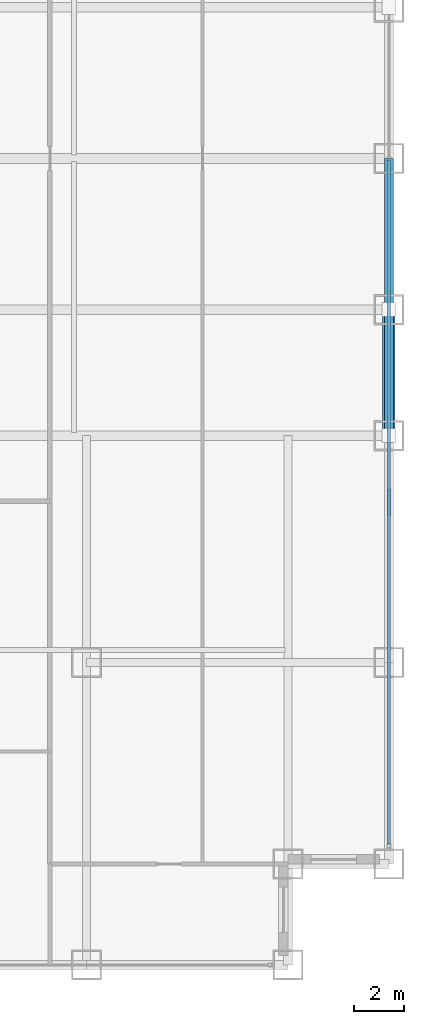
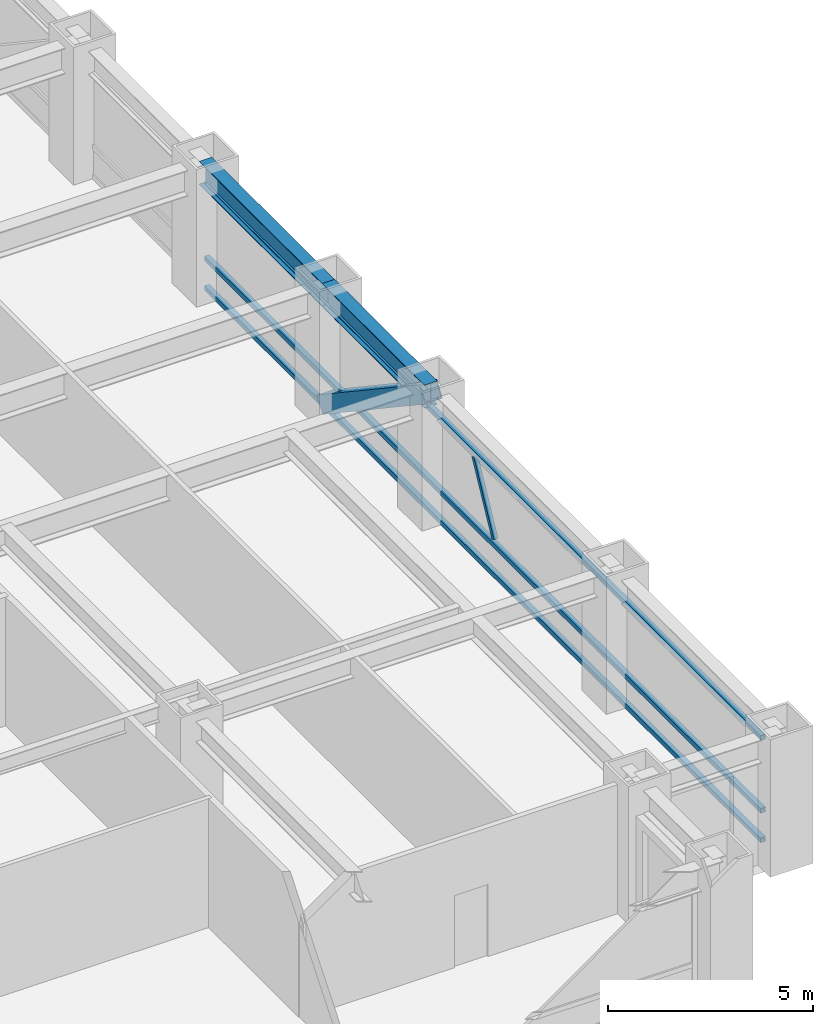
# One storey, part 13 of 27: 5 members, 2 beams, 1 element without a shape of its own.
"""IFC4 building model written with IfcOpenShell, lengths in metres."""

from ifc_helpers import new_model, si_unit, direction, frame, origin, origin_2d, place, context, subcontext, project, spatial, hollow_rectangle, i_section, extrude, source, transform, mapped, material, material_profile, profile_set, type_object, element, aggregate, save


model = new_model("IFC4")

# Units and contexts
model_context = context("Model", 3, precision=1e-05, world=origin(), true_north=direction((0.0, 1.0)))
body_context = subcontext(model_context, "Body", "Model", "MODEL_VIEW")
ifc_project = project(units=[si_unit("LENGTHUNIT", "METRE"), si_unit("AREAUNIT", "SQUARE_METRE"), si_unit("VOLUMEUNIT", "CUBIC_METRE"), si_unit("PLANEANGLEUNIT", "RADIAN"), si_unit("MASSUNIT", "GRAM", prefix="KILO")], contexts=[model_context])

# Site, building, storey
site_placement = place(None, origin())
site = spatial("IfcSite", under=ifc_project, at=site_placement, CompositionType="ELEMENT")
building_placement = place(site_placement, origin())
building = spatial("IfcBuilding", under=site, at=building_placement, Name="Khorayat Bourse Tower", CompositionType="ELEMENT")
storey_placement = place(building_placement, frame((0.0, 0.0, 140.60009765625)))
storey = spatial("IfcBuildingStorey", under=building, at=storey_placement, Name="L32", CompositionType="ELEMENT", Elevation=140.60009765625)

# Beams
ifc_material_1 = material(Name="Steel ASTM A992 Grade 50", Category="steel")
ifc_material_profile_1 = material_profile(ifc_material_1, i_section(OverallWidth=0.35498046875, OverallDepth=0.695068359375, WebThickness=0.015380859375, FlangeThickness=0.02490234375, FilletRadius=0.01806640625, at=origin_2d()), Name="W690X217")
ifc_profile_set_1 = profile_set([ifc_material_profile_1], Name="Steel ASTM A992 Grade 50")
beam_type = type_object("IfcBeamType", Name="BM-SPAN-690", PredefinedType="SPANDREL", material=ifc_profile_set_1)
shared_shape_1 = source(origin(), body_context, "Body", "SweptSolid", [
    extrude(i_section(OverallWidth=0.35498046875, OverallDepth=0.695068359375, WebThickness=0.015380859375, FlangeThickness=0.02490234375, FilletRadius=0.01806640625, at=origin_2d()), origin(), (0.0, 0.0, 1.0), 5.0),
])
beam_1_placement = place(storey_placement, frame((32.0, -11.0, 3.492431640625), z_axis=(0.0, 1.0, 0.0), x_axis=(-1.0, 0.0, 0.0)))
element("IfcBeam", 1, at=beam_1_placement, inside=storey, type_object=beam_type, Name="L32 BM-SPAN-690 BM-L32-SPN-036", PredefinedType="SPANDREL", context=body_context, shape_type="MappedRepresentation", body=[
    mapped(shared_shape_1, transform((0.0, 0.0, 0.0), scale=1.0)),
])
shared_shape_2 = source(origin(), body_context, "Body", "SweptSolid", [
    extrude(i_section(OverallWidth=0.35498046875, OverallDepth=0.695068359375, WebThickness=0.015380859375, FlangeThickness=0.02490234375, FilletRadius=0.01806640625, at=origin_2d()), origin(), (0.0, 0.0, 1.0), 6.0),
])
beam_2_placement = place(storey_placement, frame((32.0, -6.0, 3.492431640625), z_axis=(0.0, 1.0, 0.0), x_axis=(-1.0, 0.0, 0.0)))
element("IfcBeam", 2, at=beam_2_placement, inside=storey, type_object=beam_type, Name="L32 BM-SPAN-690 BM-L32-SPN-037", PredefinedType="SPANDREL", context=body_context, shape_type="MappedRepresentation", body=[
    mapped(shared_shape_2, transform((0.0, 0.0, 0.0), scale=1.0)),
])

# Member
ifc_material_2 = material(Name="Steel EN 10025-4 S460M", Category="steel")
ifc_material_profile_2 = material_profile(ifc_material_2, hollow_rectangle(XDim=0.5, YDim=0.5, WallThickness=0.028076171875, at=origin_2d()), Name="HSS 500x500x28")
ifc_profile_set_2 = profile_set([ifc_material_profile_2], Name="Steel EN 10025-4 S460M")
member_type_1 = type_object("IfcMemberType", Name="MBR-TUBE-500", PredefinedType="BRACE", material=ifc_profile_set_2)
shared_shape_3 = source(origin(), body_context, "Body", "SweptSolid", [
    extrude(hollow_rectangle(XDim=0.5, YDim=0.5, WallThickness=0.028076171875, at=origin_2d()), origin(), (0.0, 0.0, 1.0), 6.012939453125),
])
member_1_placement = place(storey_placement, frame((32.0, -11.0, 3.58984375), z_axis=(0.0, 0.831550226979, -0.555449565677), x_axis=(-1.0, 0.0, 0.0)))
element("IfcMember", 3, at=member_1_placement, inside=storey, type_object=member_type_1, Name="L32 Perimeter Tube Brace 07", PredefinedType="BRACE", context=body_context, shape_type="MappedRepresentation", body=[
    mapped(shared_shape_3, transform((0.0, 0.0, 0.0), scale=1.0)),
])

# Curtain wall, members
ifc_material_3 = material(Name="Aluminium EN AW-6063 T6", Category="aluminium")
curtain_wall_type = type_object("IfcCurtainWallType", Name="CW-SYS-02", PredefinedType="NOTDEFINED", material=ifc_material_3)
curtain_wall_placement = place(storey_placement, origin())
curtain_wall = element("IfcCurtainWall", 4, at=curtain_wall_placement, inside=storey, type_object=curtain_wall_type, Name="L32 Curtain Wall CW-L32-E1", PredefinedType="NOTDEFINED")
ifc_material_profile_3 = material_profile(ifc_material_3, hollow_rectangle(XDim=0.139892578125, YDim=0.139892578125, WallThickness=0.006103515625, at=origin_2d()), Name="ALU 140x140x6")
ifc_profile_set_3 = profile_set([ifc_material_profile_3], Name="Aluminium EN AW-6063 T6")
member_type_2 = type_object("IfcMemberType", Name="CWT-HORZ-140", PredefinedType="USERDEFINED", material=ifc_profile_set_3)
shared_shape_4 = source(origin(), body_context, "Body", "SweptSolid", [
    extrude(hollow_rectangle(XDim=0.139892578125, YDim=0.139892578125, WallThickness=0.006103515625, at=origin_2d()), origin(), (0.0, 0.0, 1.0), 27.139892578125),
])
member_2_placement = place(storey_placement, frame((32.0, -27.2099609375, 0.06982421875), z_axis=(0.0, 1.0, 0.0), x_axis=(-1.0, 0.0, 0.0)))
member_2 = element("IfcMember", 5, at=member_2_placement, type_object=member_type_2, Name="CW-L32-E1 Horizontal Transom 1-1", ObjectType="TRANSOM", PredefinedType="USERDEFINED", context=body_context, shape_type="MappedRepresentation", body=[
    mapped(shared_shape_4, transform((0.0, 0.0, 0.0), scale=1.0)),
])
member_3_placement = place(storey_placement, frame((32.0, -27.2099609375, 0.949951171875), z_axis=(0.0, 1.0, 0.0), x_axis=(-1.0, 0.0, 0.0)))
member_3 = element("IfcMember", 6, at=member_3_placement, type_object=member_type_2, Name="CW-L32-E1 Horizontal Transom 1-2", ObjectType="TRANSOM", PredefinedType="USERDEFINED", context=body_context, shape_type="MappedRepresentation", body=[
    mapped(shared_shape_4, transform((0.0, 0.0, 0.0), scale=1.0)),
])
member_4_placement = place(storey_placement, frame((32.0, -27.2099609375, 3.119873046875), z_axis=(0.0, 1.0, 0.0), x_axis=(-1.0, 0.0, 0.0)))
member_4 = element("IfcMember", 7, at=member_4_placement, type_object=member_type_2, Name="CW-L32-E1 Horizontal Transom 1-3", ObjectType="TRANSOM", PredefinedType="USERDEFINED", context=body_context, shape_type="MappedRepresentation", body=[
    mapped(shared_shape_4, transform((0.0, 0.0, 0.0), scale=1.0)),
])
ifc_material_profile_4 = material_profile(ifc_material_3, hollow_rectangle(XDim=0.1201171875, YDim=0.1201171875, WallThickness=0.0048828125, at=origin_2d()), Name="ALU 120x120x5")
ifc_profile_set_4 = profile_set([ifc_material_profile_4], Name="Aluminium EN AW-6063 T6")
member_type_3 = type_object("IfcMemberType", Name="CWM-DIAG-120", PredefinedType="MULLION", material=ifc_profile_set_4)
shared_shape_5 = source(origin(), body_context, "Body", "SweptSolid", [
    extrude(hollow_rectangle(XDim=0.1201171875, YDim=0.1201171875, WallThickness=0.0048828125, at=origin_2d()), origin(), (0.0, 0.0, 1.0), 2.11328125),
])
member_5_placement = place(storey_placement, frame((32.0, -14.132080078125, 1.099853515625), z_axis=(0.0, 0.465694055905, 0.884945787207), x_axis=(-1.0, 0.0, 0.0)))
member_5 = element("IfcMember", 8, at=member_5_placement, type_object=member_type_3, Name="CW-L32-E1 Faceted Diagonal Mullion 1", PredefinedType="MULLION", context=body_context, shape_type="MappedRepresentation", body=[
    mapped(shared_shape_5, transform((0.0, 0.0, 0.0), scale=1.0)),
])
aggregate(curtain_wall, [member_2, member_3, member_4, member_5])

save(model, "model.ifc")
